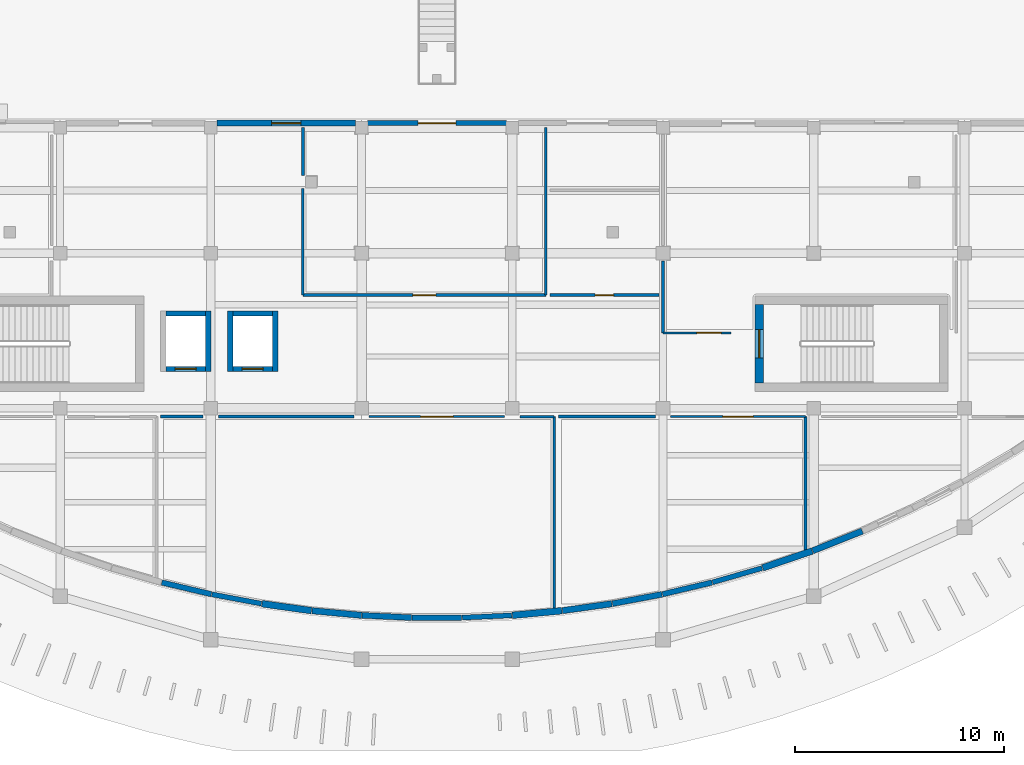
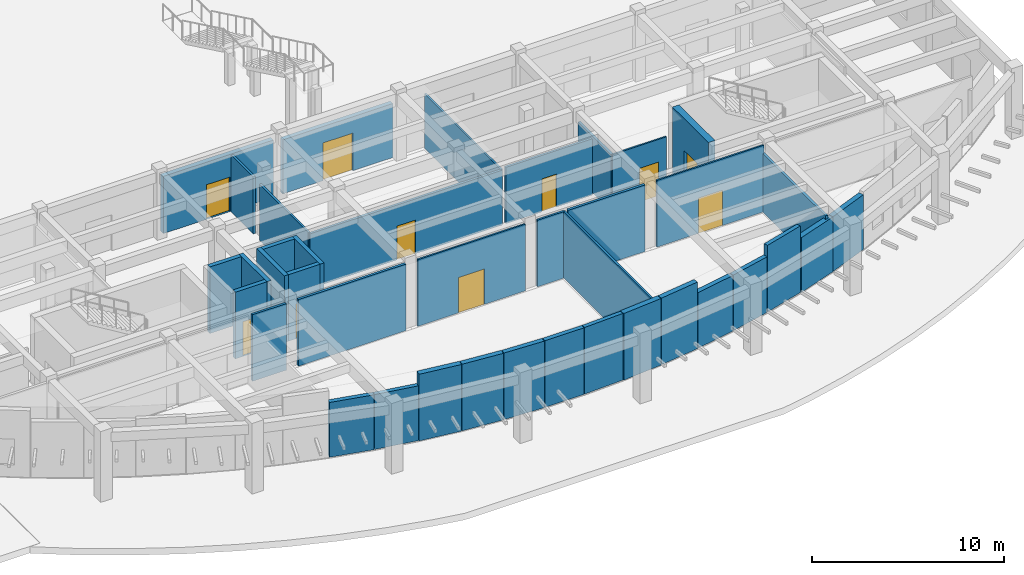
# One storey, part 36 of 58: 39 walls, 10 doors, 10 openings.
"""IFC4 building model written with IfcOpenShell, lengths in metres."""

from ifc_helpers import new_model, si_unit, direction, frame, frame_2d, origin, place, context, subcontext, project, spatial, rectangle, extrude, material, layer, layer_set, type_object, element, fill, save


model = new_model("IFC4")

# Units and contexts
model_context = context("Model", 3, precision=1e-05, world=origin(), true_north=direction((0.0, 1.0)))
body_context = subcontext(model_context, "Body", "Model", "MODEL_VIEW")
ifc_project = project(units=[si_unit("LENGTHUNIT", "METRE"), si_unit("AREAUNIT", "SQUARE_METRE"), si_unit("VOLUMEUNIT", "CUBIC_METRE"), si_unit("PLANEANGLEUNIT", "RADIAN"), si_unit("MASSUNIT", "GRAM", prefix="KILO")], contexts=[model_context])

# Site, building, storey
site_placement = place(None, origin())
site = spatial("IfcSite", under=ifc_project, at=site_placement, CompositionType="ELEMENT")
building_placement = place(site_placement, origin())
building = spatial("IfcBuilding", under=site, at=building_placement, Name="Brisavento Harbour Community Centre", CompositionType="ELEMENT")
storey_placement = place(building_placement, origin())
storey = spatial("IfcBuildingStorey", under=building, at=storey_placement, Name="L00", CompositionType="ELEMENT", Elevation=0.0)

# Wall, opening, door
ifc_material_1 = material(Name="Concrete C40/50", Category="concrete")
ifc_layer_1 = layer(ifc_material_1, 0.39990234375, Name="Concrete C40/50")
ifc_layer_set_1 = layer_set([ifc_layer_1], Name="Concrete C40/50")
wall_type_1 = type_object("IfcWallType", Name="WL-CORE-400", PredefinedType="SHEAR", material=ifc_layer_set_1)
wall_1_placement = place(storey_placement, frame((155.800048828125, 16.199951171875, 0.0), z_axis=(0.0, 0.0, 1.0), x_axis=(0.0, 1.0, 0.0)))
wall_1 = element("IfcWall", 1, at=wall_1_placement, inside=storey, type_object=wall_type_1, Name="L00 core C3B shear wall N", PredefinedType="SHEAR", context=body_context, shape_type="SweptSolid", body=[
    extrude(rectangle(XDim=3.75, YDim=0.39990234375, at=frame_2d((1.875, 0.0))), origin(), (0.0, 0.0, 1.0), 4.239990234375),
])
opening_1_placement = place(wall_1_placement, frame((1.199951171875, 0.0, 0.0)))
opening_1 = element("IfcOpeningElement", 2, at=opening_1_placement, cuts=wall_1, Name="Opening SD-02", PredefinedType="OPENING", context=body_context, shape_type="SweptSolid", body=[
    extrude(rectangle(XDim=1.35009765625, YDim=2.199951171875, at=frame_2d((0.675048828125, 1.10009765625))), frame((0.0, 0.2099609375, 0.0), z_axis=(0.0, -1.0, 0.0), x_axis=(1.0, 0.0, 0.0)), (0.0, 0.0, 1.0), 0.419921875),
])
ifc_material_2 = material(Name="Fire-rated steel door assembly", Category="steel")
door_type_1 = type_object("IfcDoorType", Name="DR-STAIR-135x220", OperationType="NOTDEFINED", PredefinedType="DOOR", material=ifc_material_2)
door_1_placement = place(opening_1_placement, origin())
door_1 = element("IfcDoor", 3, at=door_1_placement, inside=storey, type_object=door_type_1, Name="L00 exit stair ST-05 fire door", OperationType="SINGLE_SWING_LEFT", OverallHeight=2.199951171875, OverallWidth=1.35009765625, PredefinedType="DOOR", context=body_context, shape_type="SweptSolid", body=[
    extrude(rectangle(XDim=1.35009765625, YDim=2.199951171875, at=frame_2d((0.675048828125, 1.10009765625))), frame((0.0, 0.02490234375, 0.0), z_axis=(0.0, -1.0, 0.0), x_axis=(1.0, 0.0, 0.0)), (0.0, 0.0, 1.0), 0.050048828125),
])
fill(opening_1, door_1)

# Walls
ifc_material_3 = material(Name="Terracotta masonry unit", Category="masonry")
ifc_layer_2 = layer(ifc_material_3, 0.239990234375, Name="Terracotta masonry unit")
ifc_layer_set_2 = layer_set([ifc_layer_2], Name="Terracotta masonry unit")
wall_type_2 = type_object("IfcWallType", Name="WL-EXT-240", PredefinedType="SOLIDWALL", material=ifc_layer_set_2)
wall_2_placement = place(storey_placement, frame((132.015380859375, 5.6630859375, 0.0), z_axis=(0.0, 0.0, 1.0), x_axis=(-0.982797435053, 0.184686766319, 0.0)))
element("IfcWall", 4, at=wall_2_placement, inside=storey, type_object=wall_type_2, Name="L00 V3 exterior wall 0113", PredefinedType="SOLIDWALL", context=body_context, shape_type="SweptSolid", body=[
    extrude(rectangle(XDim=2.406005859375, YDim=0.239990234375, at=frame_2d((1.203125, 0.0))), origin(), (0.0, 0.0, 1.0), 3.489990234375),
])
wall_3_placement = place(storey_placement, frame((143.9736328125, 5.103759765625, 0.0), z_axis=(0.0, 0.0, 1.0), x_axis=(-0.998931413674, -0.046217212984, 0.0)))
element("IfcWall", 5, at=wall_3_placement, inside=storey, type_object=wall_type_2, Name="L00 V3 exterior wall 0118", PredefinedType="SOLIDWALL", context=body_context, shape_type="SweptSolid", body=[
    extrude(rectangle(XDim=2.366455078125, YDim=0.239990234375, at=frame_2d((1.18310546875, 0.0))), origin(), (0.0, 0.0, 1.0), 4.239990234375),
])
wall_4_placement = place(storey_placement, frame((155.932861328125, 7.36328125, 0.0), z_axis=(0.0, 0.0, 1.0), x_axis=(-0.960873855282, -0.276986343049, 0.0)))
element("IfcWall", 6, at=wall_4_placement, inside=storey, type_object=wall_type_2, Name="L00 V3 exterior wall 0123", PredefinedType="SOLIDWALL", context=body_context, shape_type="SweptSolid", body=[
    extrude(rectangle(XDim=2.4619140625, YDim=0.239990234375, at=frame_2d((1.23095703125, 0.0))), origin(), (0.0, 0.0, 1.0), 4.239990234375),
])
ifc_layer_3 = layer(ifc_material_3, 0.260009765625, Name="Terracotta masonry unit")
ifc_layer_set_3 = layer_set([ifc_layer_3], Name="Terracotta masonry unit")
wall_type_3 = type_object("IfcWallType", Name="WL-EXT-260", PredefinedType="SOLIDWALL", material=ifc_layer_set_3)
wall_5_placement = place(storey_placement, frame((129.6240234375, 6.11328125, 0.0), z_axis=(0.0, 0.0, 1.0), x_axis=(-0.972996641293, 0.230819271363, 0.0)))
element("IfcWall", 7, at=wall_5_placement, inside=storey, type_object=wall_type_3, Name="L00 V3 exterior wall 0112", PredefinedType="SOLIDWALL", context=body_context, shape_type="SweptSolid", body=[
    extrude(rectangle(XDim=2.4306640625, YDim=0.260009765625, at=frame_2d((1.21533203125, 0.0))), origin(), (0.0, 0.0, 1.0), 3.489990234375),
])
wall_6_placement = place(storey_placement, frame((141.58203125, 4.993896484375, 0.0), z_axis=(0.0, 0.0, 1.0), x_axis=(-1.0, 0.0, 0.0)))
element("IfcWall", 8, at=wall_6_placement, inside=storey, type_object=wall_type_3, Name="L00 V3 exterior wall 0117", PredefinedType="SOLIDWALL", context=body_context, shape_type="SweptSolid", body=[
    extrude(rectangle(XDim=2.364013671875, YDim=0.260009765625, at=frame_2d((1.18212890625, 0.0))), origin(), (0.0, 0.0, 1.0), 4.239990234375),
])
wall_7_placement = place(storey_placement, frame((153.541015625, 6.67431640625, 0.0), z_axis=(0.0, 0.0, 1.0), x_axis=(-0.973001991893, -0.230796715253, 0.0)))
element("IfcWall", 9, at=wall_7_placement, inside=storey, type_object=wall_type_3, Name="L00 V3 exterior wall 0122", PredefinedType="SOLIDWALL", context=body_context, shape_type="SweptSolid", body=[
    extrude(rectangle(XDim=2.430908203125, YDim=0.260009765625, at=frame_2d((1.21533203125, 0.0))), origin(), (0.0, 0.0, 1.0), 3.5400390625),
])

# Wall, opening, door
wall_8_placement = place(storey_placement, frame((137.0849609375, 28.6201171875, 0.0), z_axis=(0.0, 0.0, 1.0), x_axis=(1.0, 0.0, 0.0)))
wall_8 = element("IfcWall", 10, at=wall_8_placement, inside=storey, type_object=wall_type_3, Name="L00 V3 exterior wall 0137", PredefinedType="SOLIDWALL", context=body_context, shape_type="SweptSolid", body=[
    extrude(rectangle(XDim=6.630126953125, YDim=0.260009765625, at=frame_2d((3.31494140625, 0.0))), origin(), (0.0, 0.0, 1.0), 3.43994140625),
])
opening_2_placement = place(wall_8_placement, frame((2.4150390625, 0.0, 0.0)))
opening_2 = element("IfcOpeningElement", 11, at=opening_2_placement, cuts=wall_8, Name="Opening ED-01", PredefinedType="OPENING", context=body_context, shape_type="SweptSolid", body=[
    extrude(rectangle(XDim=1.800048828125, YDim=2.39990234375, at=frame_2d((0.89990234375, 1.199951171875))), frame((0.0, 0.14013671875, 0.0), z_axis=(0.0, -1.0, 0.0), x_axis=(1.0, 0.0, 0.0)), (0.0, 0.0, 1.0), 0.280029296875),
])
ifc_material_4 = material(Name="Marine-anodised aluminium AW-6063-T6", Category="aluminium")
door_type_2 = type_object("IfcDoorType", Name="DR-EXT-180x240", OperationType="NOTDEFINED", PredefinedType="DOOR", material=ifc_material_4)
door_2_placement = place(opening_2_placement, origin())
door_2 = element("IfcDoor", 12, at=door_2_placement, inside=storey, type_object=door_type_2, Name="L00 V3 exterior exit door 012", OperationType="SINGLE_SWING_LEFT", OverallHeight=2.39990234375, OverallWidth=1.800048828125, PredefinedType="DOOR", context=body_context, shape_type="SweptSolid", body=[
    extrude(rectangle(XDim=1.800048828125, YDim=2.39990234375, at=frame_2d((0.89990234375, 1.199951171875))), frame((0.0, 0.02490234375, 0.0), z_axis=(0.0, -1.0, 0.0), x_axis=(1.0, 0.0, 0.0)), (0.0, 0.0, 1.0), 0.050048828125),
])
fill(opening_2, door_2)

# Walls
ifc_material_5 = material(Name="Precast concrete C40/50", Category="concrete")
ifc_layer_4 = layer(ifc_material_5, 0.280029296875, Name="Precast concrete C40/50")
ifc_layer_set_4 = layer_set([ifc_layer_4], Name="Precast concrete C40/50")
wall_type_4 = type_object("IfcWallType", Name="WL-EXT-280", PredefinedType="SOLIDWALL", material=ifc_layer_set_4)
wall_9_placement = place(storey_placement, frame((139.190185546875, 4.994384765625, 0.0), z_axis=(0.0, 0.0, 1.0), x_axis=(-0.998931193279, 0.046221976305, 0.0)))
element("IfcWall", 13, at=wall_9_placement, inside=storey, type_object=wall_type_4, Name="L00 V3 exterior wall 0116", PredefinedType="SOLIDWALL", context=body_context, shape_type="SweptSolid", body=[
    extrude(rectangle(XDim=2.3662109375, YDim=0.280029296875, at=frame_2d((1.18310546875, 0.0))), origin(), (0.0, 0.0, 1.0), 4.239990234375),
])
wall_10_placement = place(storey_placement, frame((151.149169921875, 6.107421875, 0.0), z_axis=(0.0, 0.0, 1.0), x_axis=(-0.982800895809, -0.184668349202, 0.0)))
element("IfcWall", 14, at=wall_10_placement, inside=storey, type_object=wall_type_4, Name="L00 V3 exterior wall 0121", PredefinedType="SOLIDWALL", context=body_context, shape_type="SweptSolid", body=[
    extrude(rectangle(XDim=2.40625, YDim=0.280029296875, at=frame_2d((1.203125, 0.0))), origin(), (0.0, 0.0, 1.0), 3.5400390625),
])

# Wall, opening, door
wall_11_placement = place(storey_placement, frame((129.885009765625, 28.6201171875, 0.0), z_axis=(0.0, 0.0, 1.0), x_axis=(1.0, 0.0, 0.0)))
wall_11 = element("IfcWall", 15, at=wall_11_placement, inside=storey, type_object=wall_type_4, Name="L00 V3 exterior wall 0136", PredefinedType="SOLIDWALL", context=body_context, shape_type="SweptSolid", body=[
    extrude(rectangle(XDim=6.6298828125, YDim=0.280029296875, at=frame_2d((3.31494140625, 0.0))), origin(), (0.0, 0.0, 1.0), 3.639892578125),
])
opening_3_placement = place(wall_11_placement, frame((2.614990234375, 0.0, 0.0)))
opening_3 = element("IfcOpeningElement", 16, at=opening_3_placement, cuts=wall_11, Name="Opening ED-05", PredefinedType="OPENING", context=body_context, shape_type="SweptSolid", body=[
    extrude(rectangle(XDim=1.39990234375, YDim=2.199951171875, at=frame_2d((0.699951171875, 1.10009765625))), frame((0.0, 0.14990234375, 0.0), z_axis=(0.0, -1.0, 0.0), x_axis=(1.0, 0.0, 0.0)), (0.0, 0.0, 1.0), 0.300048828125),
])
door_type_3 = type_object("IfcDoorType", Name="DR-EXT-140x220", OperationType="NOTDEFINED", PredefinedType="DOOR", material=ifc_material_4)
door_3_placement = place(opening_3_placement, origin())
door_3 = element("IfcDoor", 17, at=door_3_placement, inside=storey, type_object=door_type_3, Name="L00 V3 exterior exit door 011", OperationType="SINGLE_SWING_RIGHT", OverallHeight=2.199951171875, OverallWidth=1.39990234375, PredefinedType="DOOR", context=body_context, shape_type="SweptSolid", body=[
    extrude(rectangle(XDim=1.39990234375, YDim=2.199951171875, at=frame_2d((0.699951171875, 1.10009765625))), frame((0.0, 0.02490234375, 0.0), z_axis=(0.0, -1.0, 0.0), x_axis=(1.0, 0.0, 0.0)), (0.0, 0.0, 1.0), 0.050048828125),
])
fill(opening_3, door_3)

# Walls
ifc_material_6 = material(Name="Concrete C35/45", Category="concrete")
ifc_layer_5 = layer(ifc_material_6, 0.300048828125, Name="Concrete C35/45")
ifc_layer_set_5 = layer_set([ifc_layer_5], Name="Concrete C35/45")
wall_type_5 = type_object("IfcWallType", Name="WL-EXT-300", PredefinedType="SOLIDWALL", material=ifc_layer_set_5)
wall_12_placement = place(storey_placement, frame((136.798583984375, 5.105712890625, 0.0), z_axis=(0.0, 0.0, 1.0), x_axis=(-0.995736652078, 0.092241637603, 0.0)))
element("IfcWall", 18, at=wall_12_placement, inside=storey, type_object=wall_type_5, Name="L00 V3 exterior wall 0115", PredefinedType="SOLIDWALL", context=body_context, shape_type="SweptSolid", body=[
    extrude(rectangle(XDim=2.3740234375, YDim=0.300048828125, at=frame_2d((1.18701171875, 0.0))), origin(), (0.0, 0.0, 1.0), 4.239990234375),
])
wall_13_placement = place(storey_placement, frame((148.75732421875, 5.65869140625, 0.0), z_axis=(0.0, 0.0, 1.0), x_axis=(-0.990368406077, -0.138457286714, 0.0)))
element("IfcWall", 19, at=wall_13_placement, inside=storey, type_object=wall_type_5, Name="L00 V3 exterior wall 0120", PredefinedType="SOLIDWALL", context=body_context, shape_type="SweptSolid", body=[
    extrude(rectangle(XDim=2.387451171875, YDim=0.300048828125, at=frame_2d((1.19384765625, 0.0))), origin(), (0.0, 0.0, 1.0), 4.239990234375),
])
wall_14_placement = place(storey_placement, frame((160.716796875, 9.12939453125, 0.0), z_axis=(0.0, 0.0, 1.0), x_axis=(-0.929287640724, -0.369356847504, 0.0)))
element("IfcWall", 20, at=wall_14_placement, inside=storey, type_object=wall_type_5, Name="L00 V3 exterior wall 0125", PredefinedType="SOLIDWALL", context=body_context, shape_type="SweptSolid", body=[
    extrude(rectangle(XDim=2.546875, YDim=0.300048828125, at=frame_2d((1.2734375, 0.0))), origin(), (0.0, 0.0, 1.0), 3.489990234375),
])
ifc_layer_6 = layer(ifc_material_6, 0.320068359375, Name="Concrete C35/45")
ifc_layer_set_6 = layer_set([ifc_layer_6], Name="Concrete C35/45")
wall_type_6 = type_object("IfcWallType", Name="WL-EXT-320", PredefinedType="SOLIDWALL", material=ifc_layer_set_6)
wall_15_placement = place(storey_placement, frame((134.406982421875, 5.328125, 0.0), z_axis=(0.0, 0.0, 1.0), x_axis=(-0.990366445451, 0.138471310114, 0.0)))
element("IfcWall", 21, at=wall_15_placement, inside=storey, type_object=wall_type_6, Name="L00 V3 exterior wall 0114", PredefinedType="SOLIDWALL", context=body_context, shape_type="SweptSolid", body=[
    extrude(rectangle(XDim=2.38720703125, YDim=0.320068359375, at=frame_2d((1.193603515625, 0.0))), origin(), (0.0, 0.0, 1.0), 4.239990234375),
])
wall_16_placement = place(storey_placement, frame((146.365478515625, 5.32470703125, 0.0), z_axis=(0.0, 0.0, 1.0), x_axis=(-0.995737526905, -0.092232193477, 0.0)))
element("IfcWall", 22, at=wall_16_placement, inside=storey, type_object=wall_type_6, Name="L00 V3 exterior wall 0119", PredefinedType="SOLIDWALL", context=body_context, shape_type="SweptSolid", body=[
    extrude(rectangle(XDim=2.374267578125, YDim=0.320068359375, at=frame_2d((1.18701171875, 0.0))), origin(), (0.0, 0.0, 1.0), 4.239990234375),
])
wall_17_placement = place(storey_placement, frame((158.32470703125, 8.17919921875, 0.0), z_axis=(0.0, 0.0, 1.0), x_axis=(-0.946353497829, -0.323133187939, 0.0)))
element("IfcWall", 23, at=wall_17_placement, inside=storey, type_object=wall_type_6, Name="L00 V3 exterior wall 0124", PredefinedType="SOLIDWALL", context=body_context, shape_type="SweptSolid", body=[
    extrude(rectangle(XDim=2.5, YDim=0.320068359375, at=frame_2d((1.25, 0.0))), origin(), (0.0, 0.0, 1.0), 3.489990234375),
])

# Wall, opening, door
ifc_material_7 = material(Name="Lightweight stud partition", Category="other")
ifc_layer_7 = layer(ifc_material_7, 0.10009765625, Name="Lightweight stud partition")
ifc_layer_set_7 = layer_set([ifc_layer_7], Name="Lightweight stud partition")
wall_type_7 = type_object("IfcWallType", Name="WL-PRT-100", PredefinedType="PARTITIONING", material=ifc_layer_set_7)
wall_18_placement = place(storey_placement, frame((143.635009765625, 14.60009765625, 0.0), z_axis=(0.0, 0.0, 1.0), x_axis=(-1.0, 0.0, 0.0)))
wall_18 = element("IfcWall", 24, at=wall_18_placement, inside=storey, type_object=wall_type_7, Name="L00 Nursery Playroom Harbour partition 0067", PredefinedType="PARTITIONING", context=body_context, shape_type="SweptSolid", body=[
    extrude(rectangle(XDim=6.469970703125, YDim=0.10009765625, at=frame_2d((3.23486328125, 0.0))), origin(), (0.0, 0.0, 1.0), 4.239990234375),
])
opening_4_placement = place(wall_18_placement, frame((2.4599609375, 0.0, 0.0)))
opening_4 = element("IfcOpeningElement", 25, at=opening_4_placement, cuts=wall_18, Name="Opening ID-03", PredefinedType="OPENING", context=body_context, shape_type="SweptSolid", body=[
    extrude(rectangle(XDim=1.550048828125, YDim=2.25, at=frame_2d((0.77490234375, 1.125))), frame((0.0, 0.06005859375, 0.0), z_axis=(0.0, -1.0, 0.0), x_axis=(1.0, 0.0, 0.0)), (0.0, 0.0, 1.0), 0.1201171875),
])
ifc_material_8 = material(Name="Solid-core tropical timber door", Category="wood")
door_type_4 = type_object("IfcDoorType", Name="DR-INT-155x225", OperationType="NOTDEFINED", PredefinedType="DOOR", material=ifc_material_8)
door_4_placement = place(opening_4_placement, origin())
door_4 = element("IfcDoor", 26, at=door_4_placement, inside=storey, type_object=door_type_4, Name="L00 Nursery Playroom Harbour door 0025", OperationType="SINGLE_SWING_RIGHT", OverallHeight=2.25, OverallWidth=1.550048828125, PredefinedType="DOOR", context=body_context, shape_type="SweptSolid", body=[
    extrude(rectangle(XDim=1.550048828125, YDim=2.25, at=frame_2d((0.77490234375, 1.125))), frame((0.0, 0.02490234375, 0.0), z_axis=(0.0, -1.0, 0.0), x_axis=(1.0, 0.0, 0.0)), (0.0, 0.0, 1.0), 0.050048828125),
])
fill(opening_4, door_4)

wall_19_placement = place(storey_placement, frame((158.0, 14.60009765625, 0.0), z_axis=(0.0, 0.0, 1.0), x_axis=(-1.0, 0.0, 0.0)))
wall_19 = element("IfcWall", 27, at=wall_19_placement, inside=storey, type_object=wall_type_7, Name="L00 Children Cot and Quiet Room partition 0071", PredefinedType="PARTITIONING", context=body_context, shape_type="SweptSolid", body=[
    extrude(rectangle(XDim=6.43505859375, YDim=0.10009765625, at=frame_2d((3.217529296875, 0.0))), origin(), (0.0, 0.0, 1.0), 4.239990234375),
])
opening_5_placement = place(wall_19_placement, frame((2.492431640625, 0.0, 0.0)))
opening_5 = element("IfcOpeningElement", 28, at=opening_5_placement, cuts=wall_19, Name="Opening ID-04", PredefinedType="OPENING", context=body_context, shape_type="SweptSolid", body=[
    extrude(rectangle(XDim=1.449951171875, YDim=2.25, at=frame_2d((0.72509765625, 1.125))), frame((0.0, 0.06005859375, 0.0), z_axis=(0.0, -1.0, 0.0), x_axis=(1.0, 0.0, 0.0)), (0.0, 0.0, 1.0), 0.1201171875),
])
door_type_5 = type_object("IfcDoorType", Name="DR-INT-145x225", OperationType="NOTDEFINED", PredefinedType="DOOR", material=ifc_material_8)
door_5_placement = place(opening_5_placement, origin())
door_5 = element("IfcDoor", 29, at=door_5_placement, inside=storey, type_object=door_type_5, Name="L00 Children Cot and Quiet Room door 0026", OperationType="SINGLE_SWING_LEFT", OverallHeight=2.25, OverallWidth=1.449951171875, PredefinedType="DOOR", context=body_context, shape_type="SweptSolid", body=[
    extrude(rectangle(XDim=1.449951171875, YDim=2.25, at=frame_2d((0.72509765625, 1.125))), frame((0.0, 0.02490234375, 0.0), z_axis=(0.0, -1.0, 0.0), x_axis=(1.0, 0.0, 0.0)), (0.0, 0.0, 1.0), 0.050048828125),
])
fill(opening_5, door_5)

wall_20_placement = place(storey_placement, frame((151.199951171875, 18.60009765625, 0.0), z_axis=(0.0, 0.0, 1.0), x_axis=(1.0, 0.0, 0.0)))
wall_20 = element("IfcWall", 30, at=wall_20_placement, inside=storey, type_object=wall_type_7, Name="L00 Parents Waiting and Feeding Lounge partition 0079", PredefinedType="PARTITIONING", context=body_context, shape_type="SweptSolid", body=[
    extrude(rectangle(XDim=3.239990234375, YDim=0.10009765625, at=frame_2d((1.6201171875, 0.0))), origin(), (0.0, 0.0, 1.0), 3.590087890625),
])
opening_6_placement = place(wall_20_placement, frame((1.6201171875, 0.0, 0.0)))
opening_6 = element("IfcOpeningElement", 31, at=opening_6_placement, cuts=wall_20, Name="Opening ID-07", PredefinedType="OPENING", context=body_context, shape_type="SweptSolid", body=[
    extrude(rectangle(XDim=1.14990234375, YDim=2.14990234375, at=frame_2d((0.574951171875, 1.074951171875))), frame((0.0, 0.06005859375, 0.0), z_axis=(0.0, -1.0, 0.0), x_axis=(1.0, 0.0, 0.0)), (0.0, 0.0, 1.0), 0.1201171875),
])
door_type_6 = type_object("IfcDoorType", Name="DR-INT-115x215", OperationType="NOTDEFINED", PredefinedType="DOOR", material=ifc_material_8)
door_6_placement = place(opening_6_placement, origin())
door_6 = element("IfcDoor", 32, at=door_6_placement, inside=storey, type_object=door_type_6, Name="L00 Parents Waiting and Feeding Lounge door 0029", OperationType="SINGLE_SWING_RIGHT", OverallHeight=2.14990234375, OverallWidth=1.14990234375, PredefinedType="DOOR", context=body_context, shape_type="SweptSolid", body=[
    extrude(rectangle(XDim=1.14990234375, YDim=2.14990234375, at=frame_2d((0.574951171875, 1.074951171875))), frame((0.0, 0.02490234375, 0.0), z_axis=(0.0, -1.0, 0.0), x_axis=(1.0, 0.0, 0.0)), (0.0, 0.0, 1.0), 0.050048828125),
])
fill(opening_6, door_6)

# Walls
wall_21_placement = place(storey_placement, frame((145.60009765625, 20.39990234375, 0.0), z_axis=(0.0, 0.0, 1.0), x_axis=(0.0, 1.0, 0.0)))
element("IfcWall", 33, at=wall_21_placement, inside=storey, type_object=wall_type_7, Name="L00 Nursery Pantry and Pram Store partition 0087", PredefinedType="PARTITIONING", context=body_context, shape_type="SweptSolid", body=[
    extrude(rectangle(XDim=8.0, YDim=0.10009765625, at=frame_2d((4.0, 0.0))), origin(), (0.0, 0.0, 1.0), 3.489990234375),
])
ifc_material_9 = material(Name="Gypsum metal-stud partition", Category="other")
ifc_layer_8 = layer(ifc_material_9, 0.1201171875, Name="Gypsum metal-stud partition")
ifc_layer_set_8 = layer_set([ifc_layer_8], Name="Gypsum metal-stud partition")
wall_type_8 = type_object("IfcWallType", Name="WL-PRT-120", PredefinedType="PARTITIONING", material=ifc_layer_set_8)
wall_22_placement = place(storey_placement, frame((146.0, 14.60009765625, 0.0), z_axis=(0.0, 0.0, 1.0), x_axis=(-1.0, 0.0, 0.0)))
element("IfcWall", 34, at=wall_22_placement, inside=storey, type_object=wall_type_8, Name="L00 Nursery Playroom Harbour partition 0066", PredefinedType="PARTITIONING", context=body_context, shape_type="SweptSolid", body=[
    extrude(rectangle(XDim=1.635009765625, YDim=0.1201171875, at=frame_2d((0.8173828125, 0.0))), origin(), (0.0, 0.0, 1.0), 4.239990234375),
])
wall_23_placement = place(storey_placement, frame((146.0, 5.250732421875, 0.0), z_axis=(0.0, 0.0, 1.0), x_axis=(0.0, 1.0, 0.0)))
element("IfcWall", 35, at=wall_23_placement, inside=storey, type_object=wall_type_8, Name="L00 Nursery Playroom Harbour partition 0070", PredefinedType="PARTITIONING", context=body_context, shape_type="SweptSolid", body=[
    extrude(rectangle(XDim=9.349365234375, YDim=0.1201171875, at=frame_2d((4.6748046875, 0.0))), origin(), (0.0, 0.0, 1.0), 4.239990234375),
])
wall_24_placement = place(storey_placement, frame((134.0, 25.485107421875, 0.0), z_axis=(0.0, 0.0, 1.0), x_axis=(0.0, -1.0, 0.0)))
element("IfcWall", 36, at=wall_24_placement, inside=storey, type_object=wall_type_8, Name="L00 Nursery Pantry and Pram Store partition 0086", PredefinedType="PARTITIONING", context=body_context, shape_type="SweptSolid", body=[
    extrude(rectangle(XDim=5.085205078125, YDim=0.1201171875, at=frame_2d((2.54248046875, 0.0))), origin(), (0.0, 0.0, 1.0), 3.56005859375),
])
ifc_layer_9 = layer(ifc_material_9, 0.139892578125, Name="Gypsum metal-stud partition")
ifc_layer_set_9 = layer_set([ifc_layer_9], Name="Gypsum metal-stud partition")
wall_type_9 = type_object("IfcWallType", Name="WL-PRT-140", PredefinedType="PARTITIONING", material=ifc_layer_set_9)
wall_25_placement = place(storey_placement, frame((129.235107421875, 14.60009765625, 0.0), z_axis=(0.0, 0.0, 1.0), x_axis=(-1.0, 0.0, 0.0)))
element("IfcWall", 37, at=wall_25_placement, inside=storey, type_object=wall_type_9, Name="L00 Nursery Playroom Harbour partition 0069", PredefinedType="PARTITIONING", context=body_context, shape_type="SweptSolid", body=[
    extrude(rectangle(XDim=2.03515625, YDim=0.139892578125, at=frame_2d((1.017578125, 0.0))), origin(), (0.0, 0.0, 1.0), 4.239990234375),
])
wall_26_placement = place(storey_placement, frame((158.0, 8.026123046875, 0.0), z_axis=(0.0, 0.0, 1.0), x_axis=(0.0, 1.0, 0.0)))
element("IfcWall", 38, at=wall_26_placement, inside=storey, type_object=wall_type_9, Name="L00 Children Cot and Quiet Room partition 0073", PredefinedType="PARTITIONING", context=body_context, shape_type="SweptSolid", body=[
    extrude(rectangle(XDim=6.573974609375, YDim=0.139892578125, at=frame_2d((3.287109375, 0.0))), origin(), (0.0, 0.0, 1.0), 3.719970703125),
])
wall_27_placement = place(storey_placement, frame((151.199951171875, 22.034912109375, 0.0), z_axis=(0.0, 0.0, 1.0), x_axis=(0.0, -1.0, 0.0)))
element("IfcWall", 39, at=wall_27_placement, inside=storey, type_object=wall_type_9, Name="L00 Parents Waiting and Feeding Lounge partition 0081", PredefinedType="PARTITIONING", context=body_context, shape_type="SweptSolid", body=[
    extrude(rectangle(XDim=3.434814453125, YDim=0.139892578125, at=frame_2d((1.71728515625, 0.0))), origin(), (0.0, 0.0, 1.0), 3.590087890625),
])
wall_28_placement = place(storey_placement, frame((134.0, 28.39990234375, 0.0), z_axis=(0.0, 0.0, 1.0), x_axis=(0.0, -1.0, 0.0)))
element("IfcWall", 40, at=wall_28_placement, inside=storey, type_object=wall_type_9, Name="L00 Nursery Pantry and Pram Store partition 0085", PredefinedType="PARTITIONING", context=body_context, shape_type="SweptSolid", body=[
    extrude(rectangle(XDim=2.284912109375, YDim=0.139892578125, at=frame_2d((1.142578125, 0.0))), origin(), (0.0, 0.0, 1.0), 3.639892578125),
])

# Wall, opening, door
wall_29_placement = place(storey_placement, frame((145.800048828125, 20.39990234375, 0.0), z_axis=(0.0, 0.0, 1.0), x_axis=(1.0, 0.0, 0.0)))
wall_29 = element("IfcWall", 41, at=wall_29_placement, inside=storey, type_object=wall_type_9, Name="L00 Nursery Children WC partition 0121", PredefinedType="PARTITIONING", context=body_context, shape_type="SweptSolid", body=[
    extrude(rectangle(XDim=5.199951171875, YDim=0.139892578125, at=frame_2d((2.60009765625, 0.0))), origin(), (0.0, 0.0, 1.0), 3.590087890625),
])
opening_7_placement = place(wall_29_placement, frame((2.159912109375, 0.0, 0.0)))
opening_7 = element("IfcOpeningElement", 42, at=opening_7_placement, cuts=wall_29, Name="Opening WD-02", PredefinedType="OPENING", context=body_context, shape_type="SweptSolid", body=[
    extrude(rectangle(XDim=0.8798828125, YDim=2.10009765625, at=frame_2d((0.43994140625, 1.050048828125))), frame((0.0, 0.080078125, 0.0), z_axis=(0.0, -1.0, 0.0), x_axis=(1.0, 0.0, 0.0)), (0.0, 0.0, 1.0), 0.159912109375),
])
ifc_material_10 = material(Name="Moisture-resistant laminate door", Category="other")
door_type_7 = type_object("IfcDoorType", Name="DR-WC-088x210", OperationType="NOTDEFINED", PredefinedType="DOOR", material=ifc_material_10)
door_7_placement = place(opening_7_placement, origin())
door_7 = element("IfcDoor", 43, at=door_7_placement, inside=storey, type_object=door_type_7, Name="L00 Nursery Children WC door 0042", OperationType="SINGLE_SWING_LEFT", OverallHeight=2.10009765625, OverallWidth=0.8798828125, PredefinedType="DOOR", context=body_context, shape_type="SweptSolid", body=[
    extrude(rectangle(XDim=0.8798828125, YDim=2.10009765625, at=frame_2d((0.43994140625, 1.050048828125))), frame((0.0, 0.02490234375, 0.0), z_axis=(0.0, -1.0, 0.0), x_axis=(1.0, 0.0, 0.0)), (0.0, 0.0, 1.0), 0.050048828125),
])
fill(opening_7, door_7)

# Walls
ifc_material_11 = material(Name="Moisture-resistant stud partition", Category="other")
ifc_layer_10 = layer(ifc_material_11, 0.14990234375, Name="Moisture-resistant stud partition")
ifc_layer_set_10 = layer_set([ifc_layer_10], Name="Moisture-resistant stud partition")
wall_type_10 = type_object("IfcWallType", Name="WL-PRT-150", PredefinedType="PARTITIONING", material=ifc_layer_set_10)
wall_30_placement = place(storey_placement, frame((136.43505859375, 14.60009765625, 0.0), z_axis=(0.0, 0.0, 1.0), x_axis=(-1.0, 0.0, 0.0)))
element("IfcWall", 44, at=wall_30_placement, inside=storey, type_object=wall_type_10, Name="L00 Nursery Playroom Harbour partition 0068", PredefinedType="PARTITIONING", context=body_context, shape_type="SweptSolid", body=[
    extrude(rectangle(XDim=6.469970703125, YDim=0.14990234375, at=frame_2d((3.23486328125, 0.0))), origin(), (0.0, 0.0, 1.0), 4.239990234375),
])
wall_31_placement = place(storey_placement, frame((150.8349609375, 14.60009765625, 0.0), z_axis=(0.0, 0.0, 1.0), x_axis=(-1.0, 0.0, 0.0)))
element("IfcWall", 45, at=wall_31_placement, inside=storey, type_object=wall_type_10, Name="L00 Children Cot and Quiet Room partition 0072", PredefinedType="PARTITIONING", context=body_context, shape_type="SweptSolid", body=[
    extrude(rectangle(XDim=4.635009765625, YDim=0.14990234375, at=frame_2d((2.3173828125, 0.0))), origin(), (0.0, 0.0, 1.0), 4.239990234375),
])

# Wall, opening, door
wall_32_placement = place(storey_placement, frame((134.0, 20.39990234375, 0.0), z_axis=(0.0, 0.0, 1.0), x_axis=(1.0, 0.0, 0.0)))
wall_32 = element("IfcWall", 46, at=wall_32_placement, inside=storey, type_object=wall_type_10, Name="L00 Nursery Pantry and Pram Store partition 0084", PredefinedType="PARTITIONING", context=body_context, shape_type="SweptSolid", body=[
    extrude(rectangle(XDim=11.60009765625, YDim=0.14990234375, at=frame_2d((5.800048828125, 0.0))), origin(), (0.0, 0.0, 1.0), 3.489990234375),
])
opening_8_placement = place(wall_32_placement, frame((5.25, 0.0, 0.0)))
opening_8 = element("IfcOpeningElement", 47, at=opening_8_placement, cuts=wall_32, Name="Opening ID-08", PredefinedType="OPENING", context=body_context, shape_type="SweptSolid", body=[
    extrude(rectangle(XDim=1.10009765625, YDim=2.14990234375, at=frame_2d((0.550048828125, 1.074951171875))), frame((0.0, 0.0849609375, 0.0), z_axis=(0.0, -1.0, 0.0), x_axis=(1.0, 0.0, 0.0)), (0.0, 0.0, 1.0), 0.169921875),
])
door_type_8 = type_object("IfcDoorType", Name="DR-INT-110x215", OperationType="NOTDEFINED", PredefinedType="DOOR", material=ifc_material_8)
door_8_placement = place(opening_8_placement, origin())
door_8 = element("IfcDoor", 48, at=door_8_placement, inside=storey, type_object=door_type_8, Name="L00 Nursery Pantry and Pram Store door 0030", OperationType="SINGLE_SWING_LEFT", OverallHeight=2.14990234375, OverallWidth=1.10009765625, PredefinedType="DOOR", context=body_context, shape_type="SweptSolid", body=[
    extrude(rectangle(XDim=1.10009765625, YDim=2.14990234375, at=frame_2d((0.550048828125, 1.074951171875))), frame((0.0, 0.02490234375, 0.0), z_axis=(0.0, -1.0, 0.0), x_axis=(1.0, 0.0, 0.0)), (0.0, 0.0, 1.0), 0.050048828125),
])
fill(opening_8, door_8)

# Wall
ifc_layer_11 = layer(ifc_material_6, 0.25, Name="Concrete C35/45")
ifc_layer_set_11 = layer_set([ifc_layer_11], Name="Concrete C35/45")
wall_type_11 = type_object("IfcWallType", Name="WL-SHF-250", PredefinedType="SOLIDWALL", material=ifc_layer_set_11)
wall_33_placement = place(storey_placement, frame((129.47509765625, 19.64990234375, 0.0), z_axis=(0.0, 0.0, 1.0), x_axis=(0.0, -1.0, 0.0)))
element("IfcWall", 49, at=wall_33_placement, inside=storey, type_object=wall_type_11, Name="L00 lift LC-02 shaft wall E", PredefinedType="SOLIDWALL", context=body_context, shape_type="SweptSolid", body=[
    extrude(rectangle(XDim=2.89990234375, YDim=0.25, at=frame_2d((1.449951171875, 0.0))), origin(), (0.0, 0.0, 1.0), 4.239990234375),
])

# Wall, opening, door
wall_34_placement = place(storey_placement, frame((127.449951171875, 16.875, 0.0), z_axis=(0.0, 0.0, 1.0), x_axis=(1.0, 0.0, 0.0)))
wall_34 = element("IfcWall", 50, at=wall_34_placement, inside=storey, type_object=wall_type_11, Name="L00 lift LC-02 shaft wall S", PredefinedType="SOLIDWALL", context=body_context, shape_type="SweptSolid", body=[
    extrude(rectangle(XDim=1.900146484375, YDim=0.25, at=frame_2d((0.9501953125, 0.0))), origin(), (0.0, 0.0, 1.0), 4.239990234375),
])
opening_9_placement = place(wall_34_placement, frame((0.449951171875, 0.0, 0.0)))
opening_9 = element("IfcOpeningElement", 51, at=opening_9_placement, cuts=wall_34, Name="Opening LD-02", PredefinedType="OPENING", context=body_context, shape_type="SweptSolid", body=[
    extrude(rectangle(XDim=1.0, YDim=2.199951171875, at=frame_2d((0.5, 1.10009765625))), frame((0.0, 0.135009765625, 0.0), z_axis=(0.0, -1.0, 0.0), x_axis=(1.0, 0.0, 0.0)), (0.0, 0.0, 1.0), 0.27001953125),
])
ifc_material_12 = material(Name="Stainless steel 1.4401", Category="steel")
door_type_9 = type_object("IfcDoorType", Name="DR-LIFT-100x220", OperationType="DOUBLE_DOOR_SLIDING", PredefinedType="DOOR", material=ifc_material_12)
door_9_placement = place(opening_9_placement, origin())
door_9 = element("IfcDoor", 52, at=door_9_placement, inside=storey, type_object=door_type_9, Name="L00 lift LC-02 landing sliding door", OperationType="DOUBLE_DOOR_SLIDING", OverallHeight=2.199951171875, OverallWidth=1.0, PredefinedType="DOOR", context=body_context, shape_type="SweptSolid", body=[
    extrude(rectangle(XDim=1.0, YDim=2.199951171875, at=frame_2d((0.5, 1.10009765625))), frame((0.0, 0.02490234375, 0.0), z_axis=(0.0, -1.0, 0.0), x_axis=(1.0, 0.0, 0.0)), (0.0, 0.0, 1.0), 0.050048828125),
])
fill(opening_9, door_9)

# Walls
wall_35_placement = place(storey_placement, frame((129.35009765625, 19.52490234375, 0.0), z_axis=(0.0, 0.0, 1.0), x_axis=(-1.0, 0.0, 0.0)))
element("IfcWall", 53, at=wall_35_placement, inside=storey, type_object=wall_type_11, Name="L00 lift LC-02 shaft wall N", PredefinedType="SOLIDWALL", context=body_context, shape_type="SweptSolid", body=[
    extrude(rectangle(XDim=1.900146484375, YDim=0.25, at=frame_2d((0.9501953125, 0.0))), origin(), (0.0, 0.0, 1.0), 4.239990234375),
])
for number, where, z_axis, x_axis, name in (
    (54, (130.52490234375, 16.75, 0.0), (0.0, 0.0, 1.0), (0.0, 1.0, 0.0), "L00 lift LC-03 shaft wall W"),
    (55, (132.675048828125, 19.64990234375, 0.0), (0.0, 0.0, 1.0), (0.0, -1.0, 0.0), "L00 lift LC-03 shaft wall E"),
):
    element("IfcWall", number, at=place(storey_placement, frame(where, z_axis=z_axis, x_axis=x_axis)), inside=storey, type_object=wall_type_11, Name=name, PredefinedType="SOLIDWALL", context=body_context, shape_type="SweptSolid", body=[
        extrude(rectangle(XDim=2.89990234375, YDim=0.25, at=frame_2d((1.449951171875, 0.0))), origin(), (0.0, 0.0, 1.0), 4.239990234375),
    ])

# Wall, opening, door
wall_36_placement = place(storey_placement, frame((130.64990234375, 16.875, 0.0), z_axis=(0.0, 0.0, 1.0), x_axis=(1.0, 0.0, 0.0)))
wall_36 = element("IfcWall", 56, at=wall_36_placement, inside=storey, type_object=wall_type_11, Name="L00 lift LC-03 shaft wall S", PredefinedType="SOLIDWALL", context=body_context, shape_type="SweptSolid", body=[
    extrude(rectangle(XDim=1.900146484375, YDim=0.25, at=frame_2d((0.9501953125, 0.0))), origin(), (0.0, 0.0, 1.0), 4.239990234375),
])
opening_10_placement = place(wall_36_placement, frame((0.449951171875, 0.0, 0.0)))
opening_10 = element("IfcOpeningElement", 57, at=opening_10_placement, cuts=wall_36, Name="Opening LD-02", PredefinedType="OPENING", context=body_context, shape_type="SweptSolid", body=[
    extrude(rectangle(XDim=1.0, YDim=2.199951171875, at=frame_2d((0.5, 1.10009765625))), frame((0.0, 0.135009765625, 0.0), z_axis=(0.0, -1.0, 0.0), x_axis=(1.0, 0.0, 0.0)), (0.0, 0.0, 1.0), 0.27001953125),
])
door_10_placement = place(opening_10_placement, origin())
door_10 = element("IfcDoor", 58, at=door_10_placement, inside=storey, type_object=door_type_9, Name="L00 lift LC-03 landing sliding door", OperationType="DOUBLE_DOOR_SLIDING", OverallHeight=2.199951171875, OverallWidth=1.0, PredefinedType="DOOR", context=body_context, shape_type="SweptSolid", body=[
    extrude(rectangle(XDim=1.0, YDim=2.199951171875, at=frame_2d((0.5, 1.10009765625))), frame((0.0, 0.02490234375, 0.0), z_axis=(0.0, -1.0, 0.0), x_axis=(1.0, 0.0, 0.0)), (0.0, 0.0, 1.0), 0.050048828125),
])
fill(opening_10, door_10)

# Wall
wall_37_placement = place(storey_placement, frame((132.550048828125, 19.52490234375, 0.0), z_axis=(0.0, 0.0, 1.0), x_axis=(-1.0, 0.0, 0.0)))
element("IfcWall", 59, at=wall_37_placement, inside=storey, type_object=wall_type_11, Name="L00 lift LC-03 shaft wall N", PredefinedType="SOLIDWALL", context=body_context, shape_type="SweptSolid", body=[
    extrude(rectangle(XDim=1.900146484375, YDim=0.25, at=frame_2d((0.9501953125, 0.0))), origin(), (0.0, 0.0, 1.0), 4.239990234375),
])

save(model, "model.ifc")
